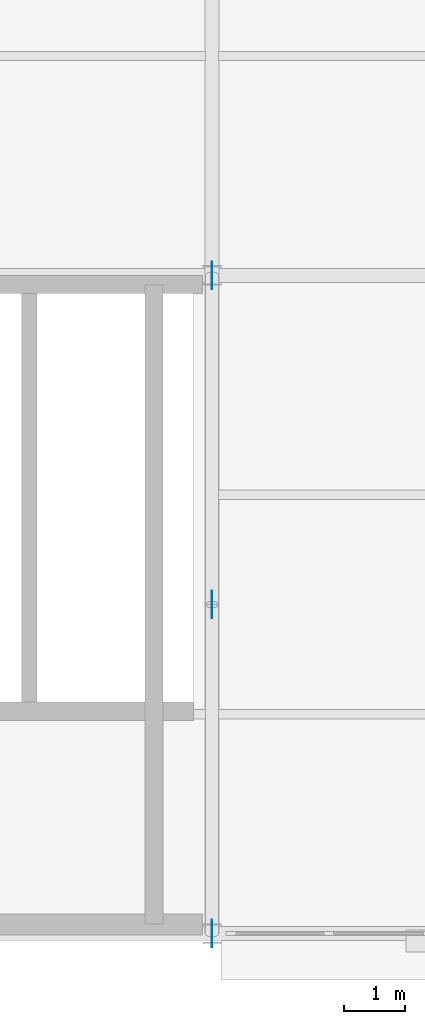
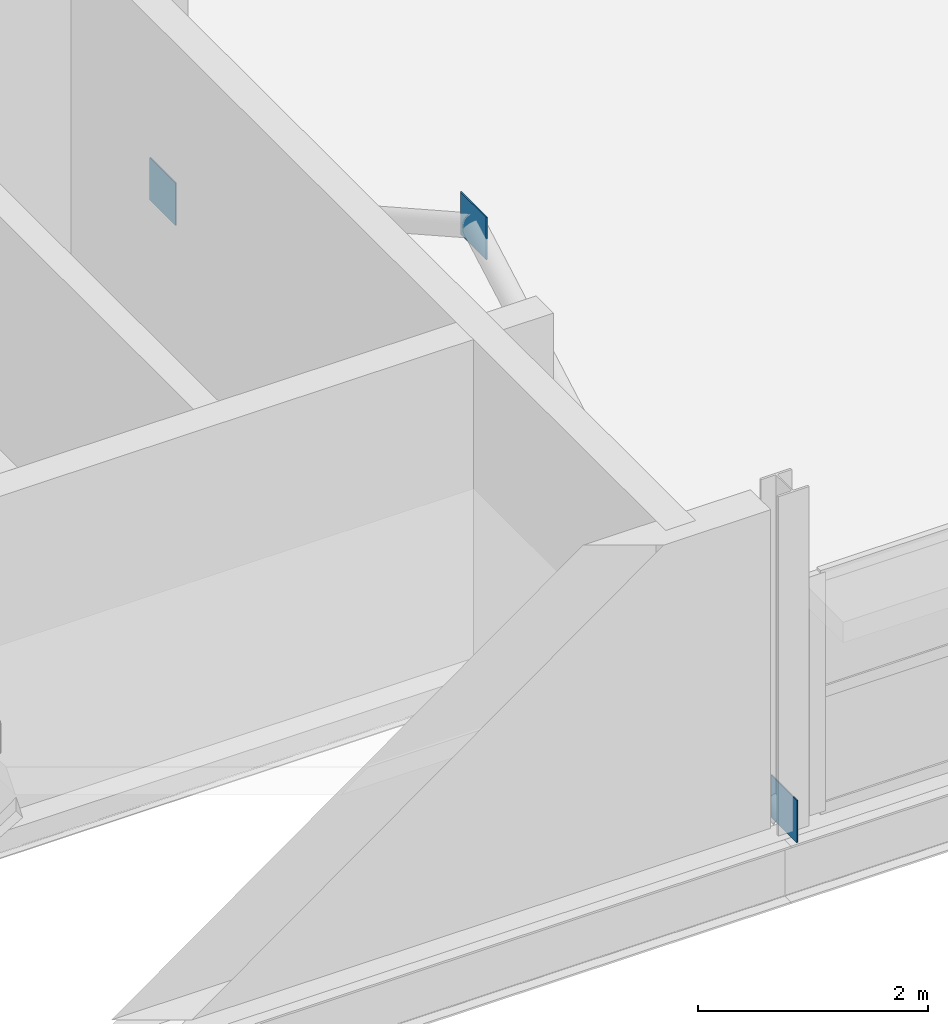
# One storey, part 82 of 101: 3 plates.
"""IFC4 building model written with IfcOpenShell, lengths in metres."""

import ifcopenshell
import ifcopenshell.guid

model = None  # the IFC model being written
_history = None  # IfcOwnerHistory: only IFC2X3 demands one
_inside = {}  # id of a spatial element -> (the spatial element, [elements in it])
_under = {}  # id of a project, library or spatial element -> (it, [spatial elements below it])
_declared = {}  # id of a project -> (the project, [libraries it declares])
_typed = {}  # id of a type object -> (the type object, [elements of that type])
_made_of = {}  # id of a material, layer set ... -> (it, [elements and type objects made of it])


def new_model(schema):
    """Start an empty IFC model of exactly this schema.

    Asked for "IFC4X3", IfcOpenShell would pick the latest addendum, in which some entities
    have other attributes; the version numbers below select the first issue.
    IFC2X3 requires an IfcOwnerHistory on every rooted entity: one is made here for all.
    """
    global model, _history
    if schema == "IFC4X3":
        model = ifcopenshell.file(schema_version=(4, 3, 0, 0))
    else:
        model = ifcopenshell.file(schema=schema)
    _inside.clear()
    _under.clear()
    _declared.clear()
    _typed.clear()
    _made_of.clear()
    _history = None
    if model.schema == "IFC2X3":
        org = make("IfcOrganization", Name="unknown")
        user = make(
            "IfcPersonAndOrganization",
            ThePerson=make("IfcPerson", FamilyName="unknown"),
            TheOrganization=org,
        )
        app = make(
            "IfcApplication",
            ApplicationDeveloper=org,
            Version="unknown",
            ApplicationFullName="unknown",
            ApplicationIdentifier="unknown",
        )
        _history = make(
            "IfcOwnerHistory",
            OwningUser=user,
            OwningApplication=app,
            ChangeAction="ADDED",
            CreationDate=0,
        )
    return model


def make(cls, **values):
    """One entity of the class cls with the attributes given. An attribute that is None is left unset."""
    return model.create_entity(
        cls, **{name: value for name, value in values.items() if value is not None}
    )


def rooted(cls, **values):
    """An entity with a GlobalId (a new one), such as an element, a storey or a relation."""
    return make(cls, GlobalId=ifcopenshell.guid.new(), OwnerHistory=_history, **values)


def si_unit(unit_type, name, prefix=None):
    """IfcSIUnit, for example si_unit("LENGTHUNIT", "METRE", prefix="MILLI")."""
    return make("IfcSIUnit", UnitType=unit_type, Prefix=prefix, Name=name)


def assignment(units):
    """IfcUnitAssignment: the units of a project."""
    return None if units is None else make("IfcUnitAssignment", Units=units)


def point(xyz):
    """IfcCartesianPoint."""
    return None if xyz is None else make("IfcCartesianPoint", Coordinates=xyz)


def direction(xyz):
    """IfcDirection."""
    return None if xyz is None else make("IfcDirection", DirectionRatios=xyz)


def frame(location, z_axis=None, x_axis=None):
    """IfcAxis2Placement3D, a coordinate frame: its origin and axes. An axis left out is left unset."""
    return make(
        "IfcAxis2Placement3D",
        Location=point(location),
        Axis=direction(z_axis),
        RefDirection=direction(x_axis),
    )


def frame_2d(location, x_axis=None):
    """IfcAxis2Placement2D, a coordinate frame in the plane: its origin and x axis."""
    return make(
        "IfcAxis2Placement2D", Location=point(location), RefDirection=direction(x_axis)
    )


def origin():
    """The frame at (0, 0, 0) with its axes left unset."""
    return frame((0.0, 0.0, 0.0))


def origin_2d():
    """The frame at (0, 0) in the plane with its x axis left unset."""
    return frame_2d((0.0, 0.0))


def place(relative_to, where):
    """IfcLocalPlacement: puts the frame where relative to a parent placement (None: the world)."""
    return make(
        "IfcLocalPlacement", PlacementRelTo=relative_to, RelativePlacement=where
    )


def context(
    kind, dimensions, precision=None, world=None, true_north=None, identifier=None
):
    """IfcGeometricRepresentationContext, for example the 3D "Model" context."""
    return make(
        "IfcGeometricRepresentationContext",
        ContextIdentifier=identifier,
        ContextType=kind,
        CoordinateSpaceDimension=dimensions,
        Precision=precision,
        WorldCoordinateSystem=world,
        TrueNorth=true_north,
    )


def subcontext(parent, identifier, kind, view, scale=None):
    """IfcGeometricRepresentationSubContext, for example "Body" below "Model"."""
    return make(
        "IfcGeometricRepresentationSubContext",
        ContextIdentifier=identifier,
        ContextType=kind,
        ParentContext=parent,
        TargetScale=scale,
        TargetView=view,
    )


def project(units=None, contexts=None):
    """IfcProject with its units and contexts."""
    return rooted(
        "IfcProject",
        Name="project",
        RepresentationContexts=contexts,
        UnitsInContext=assignment(units),
    )


def spatial(cls, under=None, at=None, **own):
    """A site, building, storey or space (cls), placed at a placement, below another one or the project."""
    s = rooted(cls, ObjectPlacement=at, **own)
    if under is not None:
        _under.setdefault(under.id(), (under, []))[1].append(s)
    return s


def profile(cls, at=None, kind="AREA", **sizes):
    """A parametric profile (cls). Its sizes go by their IFC names, for example OverallWidth=200.0."""
    return make(cls, ProfileType=kind, Position=at, **sizes)


def rectangle(**sizes):
    """IfcRectangleProfileDef."""
    return profile("IfcRectangleProfileDef", **sizes)


def extrude(swept, where, along, depth):
    """IfcExtrudedAreaSolid: the profile swept, set in the frame where, extruded along a direction by depth."""
    return make(
        "IfcExtrudedAreaSolid",
        SweptArea=swept,
        Position=where,
        ExtrudedDirection=direction(along),
        Depth=depth,
    )


def shape(context_of_items, identifier, shape_type, items):
    """IfcShapeRepresentation: the items that make up one representation, for example the "Body"."""
    return make(
        "IfcShapeRepresentation",
        ContextOfItems=context_of_items,
        RepresentationIdentifier=identifier,
        RepresentationType=shape_type,
        Items=items,
    )


def material(Name=None, Category=None):
    """IfcMaterial."""
    return make("IfcMaterial", Name=Name, Category=Category)


def layer(
    of_material, thickness, ventilated=None, Name=None, Category=None, Priority=None
):
    """IfcMaterialLayer: one layer of a wall or slab, of a material (None: an air gap)."""
    return make(
        "IfcMaterialLayer",
        Material=of_material,
        LayerThickness=thickness,
        IsVentilated=ventilated,
        Name=Name,
        Category=Category,
        Priority=Priority,
    )


def layer_set(layers, Name=None):
    """IfcMaterialLayerSet."""
    return make("IfcMaterialLayerSet", MaterialLayers=layers, LayerSetName=Name)


def made_of(thing, what):
    """Note that an element or type object is made of a material, layer set ...; save() writes the relation."""
    if what is not None:
        _made_of.setdefault(what.id(), (what, []))[1].append(thing)
    return thing


def type_object(cls, material=None, **own):
    """A type object (cls), such as IfcWallType, which elements share."""
    return made_of(rooted(cls, **own), material)


def element(
    cls,
    number,
    at=None,
    inside=None,
    cuts=None,
    type_object=None,
    material=None,
    context=None,
    identifier="Body",
    shape_type=None,
    held_by="IfcProductDefinitionShape",
    body=None,
    shapes=None,
    **own,
):
    """One element of the class cls, such as IfcWall. Its Tag is "e" and its number.

    at: its placement. inside: the storey or other place that contains it. cuts: it is an
    opening in that element (IfcRelVoidsElement). A single representation is given by context,
    identifier, shape_type and body (its items); several are given by shapes. held_by: the class
    of the entity that holds the representations. save() writes the other relations.
    """
    e = rooted(cls, Tag="e%d" % number, ObjectPlacement=at, **own)
    if body is not None:
        shapes = [shape(context, identifier, shape_type, body)]
    if shapes is not None:
        e.Representation = make(held_by, Representations=shapes)
    if inside is not None:
        _inside.setdefault(inside.id(), (inside, []))[1].append(e)
    if cuts is not None:
        rooted(
            "IfcRelVoidsElement", RelatingBuildingElement=cuts, RelatedOpeningElement=e
        )
    if type_object is not None:
        _typed.setdefault(type_object.id(), (type_object, []))[1].append(e)
    return made_of(e, material)


def aggregate(whole, parts):
    """IfcRelAggregates: a whole, such as a stair, and the parts it consists of."""
    return rooted("IfcRelAggregates", RelatingObject=whole, RelatedObjects=parts)


def save(model, path):
    """Write the relations noted so far, then the file.

    IfcRelAggregates (storeys below a building ...), IfcRelContainedInSpatialStructure (elements
    in a storey), IfcRelDefinesByType, IfcRelAssociatesMaterial and IfcRelDeclares: one each for
    every whole, place, type object, material and project.
    """
    for whole, parts in _under.values():
        aggregate(whole, parts)
    for where, things in _inside.values():
        rooted(
            "IfcRelContainedInSpatialStructure",
            RelatedElements=things,
            RelatingStructure=where,
        )
    for kind, things in _typed.values():
        rooted("IfcRelDefinesByType", RelatedObjects=things, RelatingType=kind)
    for what, things in _made_of.values():
        rooted("IfcRelAssociatesMaterial", RelatedObjects=things, RelatingMaterial=what)
    for by, libraries in _declared.values():
        rooted("IfcRelDeclares", RelatingContext=by, RelatedDefinitions=libraries)
    model.write(path)


model = new_model("IFC4")

# Units and contexts
model_context = context("Model", 3, precision=1e-05, world=origin(), true_north=direction((0.0, 1.0)))
body_context = subcontext(model_context, "Body", "Model", "MODEL_VIEW")
ifc_project = project(units=[si_unit("LENGTHUNIT", "METRE"), si_unit("AREAUNIT", "SQUARE_METRE"), si_unit("VOLUMEUNIT", "CUBIC_METRE"), si_unit("PLANEANGLEUNIT", "RADIAN"), si_unit("MASSUNIT", "GRAM", prefix="KILO"), si_unit("THERMODYNAMICTEMPERATUREUNIT", "KELVIN"), si_unit("POWERUNIT", "WATT")], contexts=[model_context])

# Site, building, storey
site_placement = place(None, origin())
site = spatial("IfcSite", under=ifc_project, at=site_placement, CompositionType="ELEMENT")
building_placement = place(site_placement, origin())
building = spatial("IfcBuilding", under=site, at=building_placement, Name="Tembeka Court Mobility Hub", CompositionType="ELEMENT")
storey_placement = place(building_placement, frame((0.0, 0.0, 5.39990234375)))
storey = spatial("IfcBuildingStorey", under=building, at=storey_placement, Name="L01", CompositionType="ELEMENT", Elevation=5.39990234375)

# Plates
ifc_material = material(Name="Steel S355", Category="steel")
ifc_layer = layer(ifc_material, 0.011962890625)
ifc_layer_set = layer_set([ifc_layer], Name="Steel S355")
plate_type = type_object("IfcPlateType", Name="PL-NDP02", PredefinedType="USERDEFINED", material=ifc_layer_set)
for number, where, z_axis, x_axis, name in (
    (1, (164.39990234375, 0.0, -0.0849609375), (0.0, 0.0, 1.0), (1.0, 0.0, 0.0), "Chevron brace gusset plate NDP02 (L01-15-1)"),
    (2, (164.39990234375, 10.800048828125, -0.0849609375), (0.0, 0.0, 1.0), (1.0, 0.0, 0.0), "Chevron brace gusset plate NDP02 (L01-15-2)"),
    (3, (164.39990234375, 5.39990234375, 2.8251953125), (0.0, 0.0, 1.0), (1.0, 0.0, 0.0), "Chevron brace gusset plate NDP02 (L01-15-3)"),
):
    element("IfcPlate", number, at=place(storey_placement, frame(where, z_axis=z_axis, x_axis=x_axis)), inside=storey, type_object=plate_type, Name=name, ObjectType="GUSSET PLATE", PredefinedType="USERDEFINED", context=body_context, shape_type="SweptSolid", body=[
        extrude(rectangle(XDim=0.011962890625, YDim=0.449951171875, at=origin_2d()), origin(), (0.0, 0.0, 1.0), 0.449951171875),
    ])

save(model, "model.ifc")
